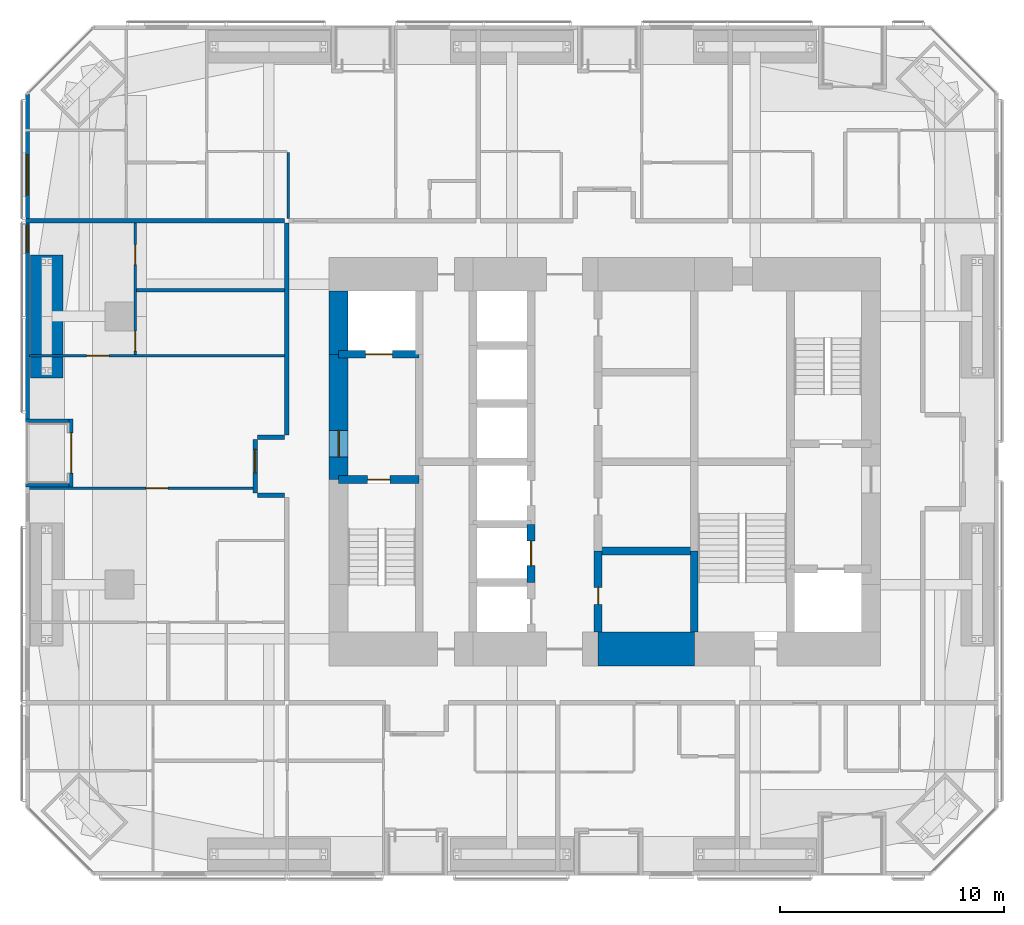
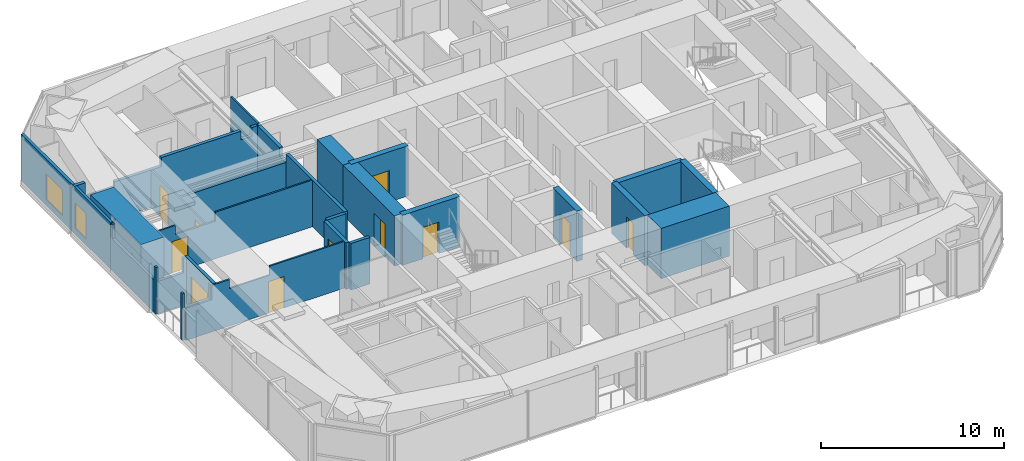
# One storey, part 18 of 23: 24 walls, 11 doors, 2 windows, 13 openings.
"""IFC4 building model written with IfcOpenShell, lengths in metres."""

from ifc_helpers import new_model, si_unit, direction, frame, frame_2d, origin, place, context, subcontext, project, spatial, polyline, rectangle, outline, extrude, material, layer, layer_set, constituent, constituent_set, type_object, element, fill, save


model = new_model("IFC4")

# Units and contexts
model_context = context("Model", 3, precision=1e-05, world=origin(), true_north=direction((0.0, 1.0)))
body_context = subcontext(model_context, "Body", "Model", "MODEL_VIEW")
ifc_project = project(units=[si_unit("LENGTHUNIT", "METRE"), si_unit("AREAUNIT", "SQUARE_METRE"), si_unit("VOLUMEUNIT", "CUBIC_METRE"), si_unit("PLANEANGLEUNIT", "RADIAN"), si_unit("MASSUNIT", "GRAM", prefix="KILO")], contexts=[model_context])

# Site, building, storey
site_placement = place(None, origin())
site = spatial("IfcSite", under=ifc_project, at=site_placement, CompositionType="ELEMENT")
building_placement = place(site_placement, origin())
building = spatial("IfcBuilding", under=site, at=building_placement, Name="Jalousie Tower", CompositionType="ELEMENT")
storey_placement = place(building_placement, frame((0.0, 0.0, 88.10009765625)))
storey = spatial("IfcBuildingStorey", under=building, at=storey_placement, Name="L23", CompositionType="ELEMENT", Elevation=88.10009765625)

# Walls
ifc_material_1 = material(Name="Concrete block ASTM C90", Category="concrete")
ifc_constituent_1 = constituent(ifc_material_1, Name="Body")
ifc_material_2 = material(Name="Render")
ifc_constituent_2 = constituent(ifc_material_2, Name="Finish")
ifc_constituent_set_1 = constituent_set(constituents=[ifc_constituent_1, ifc_constituent_2])
wall_type_1 = type_object("IfcWallType", Name="BATHROOM WALL 150", PredefinedType="PLUMBINGWALL", material=ifc_constituent_set_1)
wall_1_placement = place(storey_placement, frame((10.949951171875, 26.166748046875, 0.0), z_axis=(0.0, 0.0, 1.0), x_axis=(1.0, 0.0, 0.0)))
element("IfcWall", 1, at=wall_1_placement, inside=storey, type_object=wall_type_1, Name="Bathroom Wall 150 L23", PredefinedType="PLUMBINGWALL", context=body_context, shape_type="SweptSolid", body=[
    extrude(outline(polyline([(0.0, 0.0), (6.625, 0.0), (6.625, 3.10986328125), (6.625, 2.53076171875), (0.534912109375, 2.53076171875), (0.534912109375, 2.510009765625), (0.0, 2.510009765625), (0.0, 3.10986328125), (0.0, 0.0)])), frame((0.0, 0.074951171875, 0.0), z_axis=(0.0, -1.0, 0.0), x_axis=(1.0, 0.0, 0.0)), (0.0, 0.0, 1.0), 0.14990234375),
])
ifc_material_3 = material(Name="Concrete f'c 120 MPa", Category="concrete")
ifc_layer_1 = layer(ifc_material_3, 1.5)
ifc_layer_set_1 = layer_set([ifc_layer_1], Name="Concrete f'c 120 MPa")
wall_type_2 = type_object("IfcWallType", Name="CORE WALL 1500", PredefinedType="SHEAR", material=ifc_layer_set_1)
wall_2_placement = place(storey_placement, frame((31.60009765625, 10.125, 0.0), z_axis=(0.0, 0.0, 1.0), x_axis=(1.0, 0.0, 0.0)))
element("IfcWall", 2, at=wall_2_placement, inside=storey, type_object=wall_type_2, Name="Core wall SC L23", PredefinedType="SHEAR", context=body_context, shape_type="SweptSolid", body=[
    extrude(rectangle(XDim=4.2998046875, YDim=1.5, at=frame_2d((2.14990234375, 0.0))), origin(), (0.0, 0.0, 1.0), 3.349853515625),
])

# Wall, opening, door
ifc_material_4 = material(Name="Concrete f'c 120 MPa", Category="concrete")
ifc_layer_2 = layer(ifc_material_4, 0.35009765625)
ifc_layer_set_2 = layer_set([ifc_layer_2], Name="Concrete f'c 120 MPa")
wall_type_3 = type_object("IfcWallType", Name="CORE WALL 350", PredefinedType="SHEAR", material=ifc_layer_set_2)
wall_3_placement = place(storey_placement, frame((28.60009765625, 13.10009765625, 0.0), z_axis=(0.0, 0.0, 1.0), x_axis=(0.0, 1.0, 0.0)))
wall_3 = element("IfcWall", 3, at=wall_3_placement, inside=storey, type_object=wall_type_3, Name="Core wall X28.6B L23", PredefinedType="SHEAR", context=body_context, shape_type="SweptSolid", body=[
    extrude(rectangle(XDim=2.599853515625, YDim=0.35009765625, at=frame_2d((1.2998046875, 0.0))), origin(), (0.0, 0.0, 1.0), 3.349853515625),
])
opening_1_placement = place(wall_3_placement, frame((0.75, 0.0, 0.0)))
opening_1 = element("IfcOpeningElement", 4, at=opening_1_placement, cuts=wall_3, Name="Opening LD1", PredefinedType="OPENING", context=body_context, shape_type="SweptSolid", body=[
    extrude(rectangle(XDim=1.10009765625, YDim=2.10009765625, at=frame_2d((0.550048828125, 1.050048828125))), frame((0.0, 0.18505859375, 0.0), z_axis=(0.0, -1.0, 0.0), x_axis=(1.0, 0.0, 0.0)), (0.0, 0.0, 1.0), 0.3701171875),
])
ifc_material_5 = material(Name="Steel lift landing door", Category="steel")
door_type_1 = type_object("IfcDoorType", Name="LIFT LANDING DOOR 1100", OperationType="SLIDING_TO_LEFT", PredefinedType="DOOR", material=ifc_material_5)
door_1_placement = place(opening_1_placement, origin())
door_1 = element("IfcDoor", 5, at=door_1_placement, inside=storey, type_object=door_type_1, Name="Lift P2 landing door", OperationType="SLIDING_TO_LEFT", OverallHeight=2.10009765625, OverallWidth=1.10009765625, PredefinedType="DOOR", context=body_context, shape_type="SweptSolid", body=[
    extrude(rectangle(XDim=1.10009765625, YDim=2.10009765625, at=frame_2d((0.550048828125, 1.050048828125))), frame((0.0, 0.02490234375, 0.0), z_axis=(0.0, -1.0, 0.0), x_axis=(1.0, 0.0, 0.0)), (0.0, 0.0, 1.0), 0.050048828125),
])
fill(opening_1, door_1)

wall_4_placement = place(storey_placement, frame((31.60009765625, 10.875, 0.0), z_axis=(0.0, 0.0, 1.0), x_axis=(0.0, 1.0, 0.0)))
wall_4 = element("IfcWall", 6, at=wall_4_placement, inside=storey, type_object=wall_type_3, Name="Core wall X31.6A L23", PredefinedType="SHEAR", context=body_context, shape_type="SweptSolid", body=[
    extrude(rectangle(XDim=3.625, YDim=0.35009765625, at=frame_2d((1.8125, 0.0))), origin(), (0.0, 0.0, 1.0), 3.349853515625),
])
opening_2_placement = place(wall_4_placement, frame((1.25, 0.0, 0.0)))
opening_2 = element("IfcOpeningElement", 7, at=opening_2_placement, cuts=wall_4, Name="Opening D16", PredefinedType="OPENING", context=body_context, shape_type="SweptSolid", body=[
    extrude(rectangle(XDim=0.75, YDim=2.10009765625, at=frame_2d((0.375, 1.050048828125))), frame((0.0, 0.18505859375, 0.0), z_axis=(0.0, -1.0, 0.0), x_axis=(1.0, 0.0, 0.0)), (0.0, 0.0, 1.0), 0.3701171875),
])
ifc_material_6 = material(Name="Steel fire door", Category="steel")
door_type_2 = type_object("IfcDoorType", Name="RISER DOOR 750", OperationType="SINGLE_SWING_LEFT", PredefinedType="DOOR", material=ifc_material_6)
door_2_placement = place(opening_2_placement, frame((0.75, 0.0, 0.0), z_axis=(0.0, 0.0, 1.0), x_axis=(-1.0, 0.0, 0.0)))
door_2 = element("IfcDoor", 8, at=door_2_placement, inside=storey, type_object=door_type_2, Name="Refuse Room door", OperationType="SINGLE_SWING_RIGHT", OverallHeight=2.10009765625, OverallWidth=0.75, PredefinedType="DOOR", context=body_context, shape_type="SweptSolid", body=[
    extrude(rectangle(XDim=0.75, YDim=2.10009765625, at=frame_2d((0.375, 1.050048828125))), frame((0.0, 0.02490234375, 0.0), z_axis=(0.0, -1.0, 0.0), x_axis=(1.0, 0.0, 0.0)), (0.0, 0.0, 1.0), 0.050048828125),
])
fill(opening_2, door_2)

# Wall
wall_5_placement = place(storey_placement, frame((35.89990234375, 10.875, 0.0), z_axis=(0.0, 0.0, 1.0), x_axis=(0.0, 1.0, 0.0)))
element("IfcWall", 9, at=wall_5_placement, inside=storey, type_object=wall_type_3, Name="Core wall X35.9A L23", PredefinedType="SHEAR", context=body_context, shape_type="SweptSolid", body=[
    extrude(rectangle(XDim=3.625, YDim=0.35009765625, at=frame_2d((1.8125, 0.0))), origin(), (0.0, 0.0, 1.0), 3.349853515625),
])

# Wall, opening, door
wall_6_placement = place(storey_placement, frame((20.0, 17.699951171875, 0.0), z_axis=(0.0, 0.0, 1.0), x_axis=(1.0, 0.0, 0.0)))
wall_6 = element("IfcWall", 10, at=wall_6_placement, inside=storey, type_object=wall_type_3, Name="Core wall Y20-17.7 L23", PredefinedType="SHEAR", context=body_context, shape_type="SweptSolid", body=[
    extrude(rectangle(XDim=3.60009765625, YDim=0.35009765625, at=frame_2d((1.800048828125, 0.0))), origin(), (0.0, 0.0, 1.0), 3.349853515625),
])
opening_3_placement = place(wall_6_placement, frame((1.300048828125, 0.0, 0.0)))
opening_3 = element("IfcOpeningElement", 11, at=opening_3_placement, cuts=wall_6, Name="Opening D10", PredefinedType="OPENING", context=body_context, shape_type="SweptSolid", body=[
    extrude(rectangle(XDim=1.0, YDim=2.10009765625, at=frame_2d((0.5, 1.050048828125))), frame((0.0, 0.18505859375, 0.0), z_axis=(0.0, -1.0, 0.0), x_axis=(1.0, 0.0, 0.0)), (0.0, 0.0, 1.0), 0.3701171875),
])
ifc_material_7 = material(Name="Steel fire door", Category="steel")
door_type_3 = type_object("IfcDoorType", Name="STAIR DOOR 1000", OperationType="SINGLE_SWING_LEFT", PredefinedType="DOOR", material=ifc_material_7)
door_3_placement = place(opening_3_placement, frame((1.0, 0.0, 0.0), z_axis=(0.0, 0.0, 1.0), x_axis=(-1.0, 0.0, 0.0)))
door_3 = element("IfcDoor", 12, at=door_3_placement, inside=storey, type_object=door_type_3, Name="Exit stair A door", OperationType="SINGLE_SWING_RIGHT", OverallHeight=2.10009765625, OverallWidth=1.0, PredefinedType="DOOR", context=body_context, shape_type="SweptSolid", body=[
    extrude(rectangle(XDim=1.0, YDim=2.10009765625, at=frame_2d((0.5, 1.050048828125))), frame((0.0, 0.02490234375, 0.0), z_axis=(0.0, -1.0, 0.0), x_axis=(1.0, 0.0, 0.0)), (0.0, 0.0, 1.0), 0.050048828125),
])
fill(opening_3, door_3)

wall_7_placement = place(storey_placement, frame((20.0, 23.300048828125, 0.0), z_axis=(0.0, 0.0, 1.0), x_axis=(1.0, 0.0, 0.0)))
wall_7 = element("IfcWall", 13, at=wall_7_placement, inside=storey, type_object=wall_type_3, Name="Core wall Y20-23.3 L23", PredefinedType="SHEAR", context=body_context, shape_type="SweptSolid", body=[
    extrude(rectangle(XDim=3.60009765625, YDim=0.35009765625, at=frame_2d((1.800048828125, 0.0))), origin(), (0.0, 0.0, 1.0), 3.349853515625),
])
opening_4_placement = place(wall_7_placement, frame((1.199951171875, 0.0, 0.0)))
opening_4 = element("IfcOpeningElement", 14, at=opening_4_placement, cuts=wall_7, Name="Opening LD2", PredefinedType="OPENING", context=body_context, shape_type="SweptSolid", body=[
    extrude(rectangle(XDim=1.199951171875, YDim=2.10009765625, at=frame_2d((0.60009765625, 1.050048828125))), frame((0.0, 0.18505859375, 0.0), z_axis=(0.0, -1.0, 0.0), x_axis=(1.0, 0.0, 0.0)), (0.0, 0.0, 1.0), 0.3701171875),
])
ifc_material_8 = material(Name="Steel lift landing door", Category="steel")
door_type_4 = type_object("IfcDoorType", Name="LIFT LANDING DOOR 1200", OperationType="SLIDING_TO_LEFT", PredefinedType="DOOR", material=ifc_material_8)
door_4_placement = place(opening_4_placement, origin())
door_4 = element("IfcDoor", 15, at=door_4_placement, inside=storey, type_object=door_type_4, Name="Lift F1 landing door", OperationType="SLIDING_TO_LEFT", OverallHeight=2.10009765625, OverallWidth=1.199951171875, PredefinedType="DOOR", context=body_context, shape_type="SweptSolid", body=[
    extrude(rectangle(XDim=1.199951171875, YDim=2.10009765625, at=frame_2d((0.60009765625, 1.050048828125))), frame((0.0, 0.02490234375, 0.0), z_axis=(0.0, -1.0, 0.0), x_axis=(1.0, 0.0, 0.0)), (0.0, 0.0, 1.0), 0.050048828125),
])
fill(opening_4, door_4)

# Walls
wall_8_placement = place(storey_placement, frame((31.60009765625, 14.5, 0.0), z_axis=(0.0, 0.0, 1.0), x_axis=(1.0, 0.0, 0.0)))
element("IfcWall", 16, at=wall_8_placement, inside=storey, type_object=wall_type_3, Name="Core wall Y31.6-14.5 L23", PredefinedType="SHEAR", context=body_context, shape_type="SweptSolid", body=[
    extrude(rectangle(XDim=4.2998046875, YDim=0.35009765625, at=frame_2d((2.14990234375, 0.0))), origin(), (0.0, 0.0, 1.0), 3.349853515625),
])
ifc_material_9 = material(Name="Concrete f'c 120 MPa", Category="concrete")
ifc_layer_3 = layer(ifc_material_9, 0.85009765625)
ifc_layer_set_3 = layer_set([ifc_layer_3], Name="Concrete f'c 120 MPa")
wall_type_4 = type_object("IfcWallType", Name="CORE WALL 850", PredefinedType="SHEAR", material=ifc_layer_set_3)
wall_9_placement = place(storey_placement, frame((20.0, 26.125, 0.0), z_axis=(0.0, 0.0, 1.0), x_axis=(0.0, -1.0, 0.0)))
element("IfcWall", 17, at=wall_9_placement, inside=storey, type_object=wall_type_4, Name="Core wall WA L23", PredefinedType="SHEAR", context=body_context, shape_type="SweptSolid", body=[
    extrude(rectangle(XDim=2.824951171875, YDim=0.85009765625, at=frame_2d((1.41259765625, 0.0))), origin(), (0.0, 0.0, 1.0), 3.349853515625),
])

# Wall, opening, door
wall_10_placement = place(storey_placement, frame((20.0, 23.300048828125, 0.0), z_axis=(0.0, 0.0, 1.0), x_axis=(0.0, -1.0, 0.0)))
wall_10 = element("IfcWall", 18, at=wall_10_placement, inside=storey, type_object=wall_type_4, Name="Core wall WB L23", PredefinedType="SHEAR", context=body_context, shape_type="SweptSolid", body=[
    extrude(rectangle(XDim=5.60009765625, YDim=0.85009765625, at=frame_2d((2.800048828125, 0.0))), origin(), (0.0, 0.0, 1.0), 3.349853515625),
])
opening_5_placement = place(wall_10_placement, frame((3.39990234375, 0.0, 0.0)))
opening_5 = element("IfcOpeningElement", 19, at=opening_5_placement, cuts=wall_10, Name="Opening D11", PredefinedType="OPENING", context=body_context, shape_type="SweptSolid", body=[
    extrude(rectangle(XDim=1.199951171875, YDim=2.199951171875, at=frame_2d((0.60009765625, 1.10009765625))), frame((0.0, 0.43505859375, 0.0), z_axis=(0.0, -1.0, 0.0), x_axis=(1.0, 0.0, 0.0)), (0.0, 0.0, 1.0), 0.8701171875),
])
ifc_material_10 = material(Name="Steel fire door", Category="steel")
door_type_5 = type_object("IfcDoorType", Name="FIRE DOOR 1200", OperationType="SINGLE_SWING_LEFT", PredefinedType="DOOR", material=ifc_material_10)
door_5_placement = place(opening_5_placement, origin())
door_5 = element("IfcDoor", 20, at=door_5_placement, inside=storey, type_object=door_type_5, Name="Fire-fighting lobby A door", OperationType="SINGLE_SWING_RIGHT", OverallHeight=2.199951171875, OverallWidth=1.199951171875, PredefinedType="DOOR", context=body_context, shape_type="SweptSolid", body=[
    extrude(rectangle(XDim=1.199951171875, YDim=2.199951171875, at=frame_2d((0.60009765625, 1.10009765625))), frame((0.0, 0.02490234375, 0.0), z_axis=(0.0, -1.0, 0.0), x_axis=(1.0, 0.0, 0.0)), (0.0, 0.0, 1.0), 0.050048828125),
])
fill(opening_5, door_5)

# Wall
ifc_material_11 = material(Name="Concrete block ASTM C90", Category="concrete")
ifc_constituent_3 = constituent(ifc_material_11, Name="Body")
ifc_material_12 = material(Name="Render")
ifc_constituent_4 = constituent(ifc_material_12, Name="Finish")
ifc_constituent_set_2 = constituent_set(constituents=[ifc_constituent_3, ifc_constituent_4])
wall_type_5 = type_object("IfcWallType", Name="CORRIDOR WALL 200", PredefinedType="PARTITIONING", material=ifc_constituent_set_2)
wall_11_placement = place(storey_placement, frame((17.675048828125, 19.699951171875, 0.0), z_axis=(0.0, 0.0, 1.0), x_axis=(0.0, 1.0, 0.0)))
element("IfcWall", 21, at=wall_11_placement, inside=storey, type_object=wall_type_5, Name="Corridor Wall 200 L23", PredefinedType="PARTITIONING", context=body_context, shape_type="SweptSolid", body=[
    extrude(outline(polyline([(0.0, 0.0), (9.47509765625, 0.0), (9.47509765625, 3.10986328125), (7.0712890625, 3.10986328125), (7.0712890625, 2.53076171875), (6.37890625, 2.53076171875), (6.37890625, 3.10986328125), (0.0, 3.10986328125), (0.0, 0.0)])), frame((0.0, 0.10009765625, 0.0), z_axis=(0.0, -1.0, 0.0), x_axis=(1.0, 0.0, 0.0)), (0.0, 0.0, 1.0), 0.199951171875),
])

# Wall, opening, door
wall_12_placement = place(storey_placement, frame((16.27490234375, 17.10009765625, 0.0), z_axis=(0.0, 0.0, 1.0), x_axis=(0.0, 1.0, 0.0)))
wall_12 = element("IfcWall", 22, at=wall_12_placement, inside=storey, type_object=wall_type_5, Name="Corridor Wall 200 L23", PredefinedType="PARTITIONING", context=body_context, shape_type="SweptSolid", body=[
    extrude(rectangle(XDim=2.39990234375, YDim=0.199951171875, at=frame_2d((1.199951171875, 0.0))), origin(), (0.0, 0.0, 1.0), 3.10986328125),
])
opening_6_placement = place(wall_12_placement, frame((0.89990234375, 0.0, 0.0)))
opening_6 = element("IfcOpeningElement", 23, at=opening_6_placement, cuts=wall_12, Name="Opening D1", PredefinedType="OPENING", context=body_context, shape_type="SweptSolid", body=[
    extrude(rectangle(XDim=1.050048828125, YDim=2.199951171875, at=frame_2d((0.52490234375, 1.10009765625))), frame((0.0, 0.10986328125, 0.0), z_axis=(0.0, -1.0, 0.0), x_axis=(1.0, 0.0, 0.0)), (0.0, 0.0, 1.0), 0.219970703125),
])
ifc_material_13 = material(Name="Timber fire door", Category="wood")
door_type_6 = type_object("IfcDoorType", Name="APARTMENT ENTRANCE DOOR 1050", OperationType="SINGLE_SWING_LEFT", PredefinedType="DOOR", material=ifc_material_13)
door_6_placement = place(opening_6_placement, origin())
door_6 = element("IfcDoor", 24, at=door_6_placement, inside=storey, type_object=door_type_6, Name="Apartment 2307 entrance", OperationType="SINGLE_SWING_LEFT", OverallHeight=2.199951171875, OverallWidth=1.050048828125, PredefinedType="DOOR", context=body_context, shape_type="SweptSolid", body=[
    extrude(rectangle(XDim=1.050048828125, YDim=2.199951171875, at=frame_2d((0.52490234375, 1.10009765625))), frame((0.0, 0.02490234375, 0.0), z_axis=(0.0, -1.0, 0.0), x_axis=(1.0, 0.0, 0.0)), (0.0, 0.0, 1.0), 0.050048828125),
])
fill(opening_6, door_6)

# Walls
for number, where, z_axis, x_axis, name in (
    (25, (17.574951171875, 17.0, 0.0), (0.0, 0.0, 1.0), (-1.0, 0.0, 0.0), "Corridor Wall 200 L23"),
    (26, (17.574951171875, 19.60009765625, 0.0), (0.0, 0.0, 1.0), (-1.0, 0.0, 0.0), "Corridor Wall 200 L23"),
):
    element("IfcWall", number, at=place(storey_placement, frame(where, z_axis=z_axis, x_axis=x_axis)), inside=storey, type_object=wall_type_5, Name=name, PredefinedType="PARTITIONING", context=body_context, shape_type="SweptSolid", body=[
        extrude(rectangle(XDim=1.199951171875, YDim=0.199951171875, at=frame_2d((0.60009765625, 0.0))), origin(), (0.0, 0.0, 1.0), 3.10986328125),
    ])

# Wall, openings, windows
ifc_material_14 = material(Name="Concrete f'c 40 MPa", Category="concrete")
ifc_constituent_5 = constituent(ifc_material_14, Name="Body")
ifc_material_15 = material(Name="Render, pastel sea green")
ifc_constituent_6 = constituent(ifc_material_15, Name="Finish")
ifc_constituent_set_3 = constituent_set(constituents=[ifc_constituent_5, ifc_constituent_6])
wall_type_6 = type_object("IfcWallType", Name="EXTERNAL WALL 175 SEA GREEN RENDER", PredefinedType="SOLIDWALL", material=ifc_constituent_set_3)
wall_13_placement = place(storey_placement, frame((6.08740234375, 34.94873046875, 0.0), z_axis=(0.0, 0.0, 1.0), x_axis=(0.0, -1.0, 0.0)))
wall_13 = element("IfcWall", 27, at=wall_13_placement, inside=storey, type_object=wall_type_6, Name="External Wall 175 Sea Green Render L23", PredefinedType="SOLIDWALL", context=body_context, shape_type="SweptSolid", body=[
    extrude(outline(polyline([(0.0, 0.0), (14.531982421875, 0.0), (14.531982421875, 2.14990234375), (9.94873046875, 2.14990234375), (9.94873046875, 3.10986328125), (9.822998046875, 3.10986328125), (9.822998046875, 2.14990234375), (9.72998046875, 2.14990234375), (9.72998046875, 3.10986328125), (0.0, 3.10986328125), (0.0, 0.0)])), frame((0.0, 0.08740234375, 0.0), z_axis=(0.0, -1.0, 0.0), x_axis=(1.0, 0.0, 0.0)), (0.0, 0.0, 1.0), 0.175048828125),
])
opening_7_placement = place(wall_13_placement, frame((2.72412109375, 0.0, 0.39990234375)))
opening_7 = element("IfcOpeningElement", 28, at=opening_7_placement, cuts=wall_13, Name="Opening W-BED170", PredefinedType="OPENING", context=body_context, shape_type="SweptSolid", body=[
    extrude(rectangle(XDim=1.800048828125, YDim=1.699951171875, at=frame_2d((0.89990234375, 0.85009765625))), frame((0.0, 0.097412109375, 0.0), z_axis=(0.0, -1.0, 0.0), x_axis=(1.0, 0.0, 0.0)), (0.0, 0.0, 1.0), 0.195068359375),
])
opening_8_placement = place(wall_13_placement, frame((5.873779296875, 0.0, 0.39990234375)))
opening_8 = element("IfcOpeningElement", 29, at=opening_8_placement, cuts=wall_13, Name="Opening W-COR170", PredefinedType="OPENING", context=body_context, shape_type="SweptSolid", body=[
    extrude(rectangle(XDim=1.199951171875, YDim=1.699951171875, at=frame_2d((0.60009765625, 0.85009765625))), frame((0.0, 0.097412109375, 0.0), z_axis=(0.0, -1.0, 0.0), x_axis=(1.0, 0.0, 0.0)), (0.0, 0.0, 1.0), 0.195068359375),
])
ifc_material_16 = material(Name="Aluminium frame, impact-rated glazing", Category="aluminium")
window_type_1 = type_object("IfcWindowType", Name="WINDOW BED 1800x1700", PartitioningType="SINGLE_PANEL", PredefinedType="WINDOW", material=ifc_material_16)
window_1_placement = place(opening_7_placement, origin())
window_1 = element("IfcWindow", 30, at=window_1_placement, inside=storey, type_object=window_type_1, Name="Apartment 2304 bedroom 1 window", OverallHeight=1.699951171875, OverallWidth=1.800048828125, PartitioningType="SINGLE_PANEL", PredefinedType="WINDOW", context=body_context, shape_type="SweptSolid", body=[
    extrude(rectangle(XDim=1.800048828125, YDim=1.699951171875, at=frame_2d((0.89990234375, 0.85009765625))), frame((0.0, 0.030029296875, 0.0), z_axis=(0.0, -1.0, 0.0), x_axis=(1.0, 0.0, 0.0)), (0.0, 0.0, 1.0), 0.06005859375),
])
fill(opening_7, window_1)
ifc_material_17 = material(Name="Aluminium frame, impact-rated glazing", Category="aluminium")
window_type_2 = type_object("IfcWindowType", Name="WINDOW COR 1200x1700", PartitioningType="SINGLE_PANEL", PredefinedType="WINDOW", material=ifc_material_17)
window_2_placement = place(opening_8_placement, origin())
window_2 = element("IfcWindow", 31, at=window_2_placement, inside=storey, type_object=window_type_2, Name="Apartment 2307 bedroom 2 window", OverallHeight=1.699951171875, OverallWidth=1.199951171875, PartitioningType="SINGLE_PANEL", PredefinedType="WINDOW", context=body_context, shape_type="SweptSolid", body=[
    extrude(rectangle(XDim=1.199951171875, YDim=1.699951171875, at=frame_2d((0.60009765625, 0.85009765625))), frame((0.0, 0.030029296875, 0.0), z_axis=(0.0, -1.0, 0.0), x_axis=(1.0, 0.0, 0.0)), (0.0, 0.0, 1.0), 0.06005859375),
])
fill(opening_8, window_2)

# Wall, opening, door
wall_14_placement = place(storey_placement, frame((8.03759765625, 20.416748046875, 0.0), z_axis=(0.0, 0.0, 1.0), x_axis=(0.0, -1.0, 0.0)))
wall_14 = element("IfcWall", 32, at=wall_14_placement, inside=storey, type_object=wall_type_6, Name="External Wall 175 Sea Green Render L23", PredefinedType="SOLIDWALL", context=body_context, shape_type="SweptSolid", body=[
    extrude(rectangle(XDim=3.058349609375, YDim=0.175048828125, at=frame_2d((1.529296875, 0.0))), origin(), (0.0, 0.0, 1.0), 3.10986328125),
])
opening_9_placement = place(wall_14_placement, frame((0.629150390625, 0.0, 0.0)))
opening_9 = element("IfcOpeningElement", 33, at=opening_9_placement, cuts=wall_14, Name="Opening D-BAL21", PredefinedType="OPENING", context=body_context, shape_type="SweptSolid", body=[
    extrude(rectangle(XDim=1.800048828125, YDim=2.10009765625, at=frame_2d((0.89990234375, 1.050048828125))), frame((0.0, 0.097412109375, 0.0), z_axis=(0.0, -1.0, 0.0), x_axis=(1.0, 0.0, 0.0)), (0.0, 0.0, 1.0), 0.195068359375),
])
ifc_material_18 = material(Name="Aluminium frame, impact-rated glazing", Category="aluminium")
door_type_7 = type_object("IfcDoorType", Name="BALCONY DOOR 1800x2100", OperationType="SLIDING_TO_LEFT", PredefinedType="DOOR", material=ifc_material_18)
door_7_placement = place(opening_9_placement, origin())
door_7 = element("IfcDoor", 34, at=door_7_placement, inside=storey, type_object=door_type_7, Name="Apartment 2307 living room loggia door", OperationType="SLIDING_TO_LEFT", OverallHeight=2.10009765625, OverallWidth=1.800048828125, PredefinedType="DOOR", context=body_context, shape_type="SweptSolid", body=[
    extrude(rectangle(XDim=1.800048828125, YDim=2.10009765625, at=frame_2d((0.89990234375, 1.050048828125))), frame((0.0, 0.02490234375, 0.0), z_axis=(0.0, -1.0, 0.0), x_axis=(1.0, 0.0, 0.0)), (0.0, 0.0, 1.0), 0.050048828125),
])
fill(opening_9, door_7)

# Walls
for number, where, z_axis, x_axis, name in (
    (35, (6.0, 20.3291015625, 0.0), (0.0, 0.0, 1.0), (1.0, 0.0, 0.0), "External Wall 175 Sea Green Render L23"),
    (36, (6.0, 17.44580078125, 0.0), (0.0, 0.0, 1.0), (1.0, 0.0, 0.0), "External Wall 175 Sea Green Render L23"),
):
    element("IfcWall", number, at=place(storey_placement, frame(where, z_axis=z_axis, x_axis=x_axis)), inside=storey, type_object=wall_type_6, Name=name, PredefinedType="SOLIDWALL", context=body_context, shape_type="SweptSolid", body=[
        extrude(outline(polyline([(0.0, 0.0), (1.949951171875, 0.0), (1.949951171875, 3.10986328125), (1.75, 3.10986328125), (1.75, 2.14990234375), (0.14990234375, 2.14990234375), (0.14990234375, 3.10986328125), (0.0, 3.10986328125), (0.0, 0.0)])), frame((0.0, 0.08740234375, 0.0), z_axis=(0.0, -1.0, 0.0), x_axis=(1.0, 0.0, 0.0)), (0.0, 0.0, 1.0), 0.175048828125),
    ])
ifc_material_19 = material(Name="Gypsum board", Category="gypsum")
ifc_constituent_7 = constituent(ifc_material_19, Name="Body")
ifc_material_20 = material(Name="Light-gauge steel studs ASTM A653 SS Grade 33", Category="steel")
ifc_constituent_8 = constituent(ifc_material_20, Name="Framing")
ifc_constituent_set_4 = constituent_set(constituents=[ifc_constituent_7, ifc_constituent_8])
wall_type_7 = type_object("IfcWallType", Name="PARTITION 100", PredefinedType="PARTITIONING", material=ifc_constituent_set_4)
wall_15_placement = place(storey_placement, frame((17.75, 32.324951171875, 0.0), z_axis=(0.0, 0.0, 1.0), x_axis=(0.0, -1.0, 0.0)))
element("IfcWall", 37, at=wall_15_placement, inside=storey, type_object=wall_type_7, Name="Partition 100 L23", PredefinedType="PARTITIONING", context=body_context, shape_type="SweptSolid", body=[
    extrude(rectangle(XDim=2.949951171875, YDim=0.10009765625, at=frame_2d((1.47509765625, 0.0))), origin(), (0.0, 0.0, 1.0), 3.10986328125),
])

# Wall, opening, door
wall_16_placement = place(storey_placement, frame((6.175048828125, 17.308349609375, 0.0), z_axis=(0.0, 0.0, 1.0), x_axis=(1.0, 0.0, 0.0)))
wall_16 = element("IfcWall", 38, at=wall_16_placement, inside=storey, type_object=wall_type_7, Name="Partition 100 L23", PredefinedType="PARTITIONING", context=body_context, shape_type="SweptSolid", body=[
    extrude(outline(polyline([(0.0, 0.0), (10.0, 0.0), (10.0, 3.10986328125), (5.284912109375, 3.10986328125), (5.284912109375, 2.510009765625), (2.764892578125, 2.510009765625), (2.764892578125, 3.10986328125), (1.635009765625, 3.10986328125), (1.635009765625, 2.14990234375), (0.0, 2.14990234375), (0.0, 3.10986328125), (0.0, 0.0)])), frame((0.0, 0.050048828125, 0.0), z_axis=(0.0, -1.0, 0.0), x_axis=(1.0, 0.0, 0.0)), (0.0, 0.0, 1.0), 0.10009765625),
])
opening_10_placement = place(wall_16_placement, frame((5.199951171875, 0.0, 0.0)))
opening_10 = element("IfcOpeningElement", 39, at=opening_10_placement, cuts=wall_16, Name="Opening D6", PredefinedType="OPENING", context=body_context, shape_type="SweptSolid", body=[
    extrude(rectangle(XDim=1.0, YDim=2.10009765625, at=frame_2d((0.5, 1.050048828125))), frame((0.0, 0.06005859375, 0.0), z_axis=(0.0, -1.0, 0.0), x_axis=(1.0, 0.0, 0.0)), (0.0, 0.0, 1.0), 0.1201171875),
])
ifc_material_21 = material(Name="Timber door", Category="wood")
door_type_8 = type_object("IfcDoorType", Name="INTERNAL DOOR 1000", OperationType="SINGLE_SWING_LEFT", PredefinedType="DOOR", material=ifc_material_21)
door_8_placement = place(opening_10_placement, frame((1.0, 0.0, 0.0), z_axis=(0.0, 0.0, 1.0), x_axis=(-1.0, 0.0, 0.0)))
door_8 = element("IfcDoor", 40, at=door_8_placement, inside=storey, type_object=door_type_8, Name="Apartment 2307 dining room door", OperationType="SINGLE_SWING_LEFT", OverallHeight=2.10009765625, OverallWidth=1.0, PredefinedType="DOOR", context=body_context, shape_type="SweptSolid", body=[
    extrude(rectangle(XDim=1.0, YDim=2.10009765625, at=frame_2d((0.5, 1.050048828125))), frame((0.0, 0.02490234375, 0.0), z_axis=(0.0, -1.0, 0.0), x_axis=(1.0, 0.0, 0.0)), (0.0, 0.0, 1.0), 0.050048828125),
])
fill(opening_10, door_8)

wall_17_placement = place(storey_placement, frame((6.175048828125, 23.24169921875, 0.0), z_axis=(0.0, 0.0, 1.0), x_axis=(1.0, 0.0, 0.0)))
wall_17 = element("IfcWall", 41, at=wall_17_placement, inside=storey, type_object=wall_type_7, Name="Partition 100 L23", PredefinedType="PARTITIONING", context=body_context, shape_type="SweptSolid", body=[
    extrude(outline(polyline([(0.5263671875, 2.14990234375), (0.0, 2.14990234375), (0.0, 0.0), (0.5263671875, 0.0), (0.5263671875, 0.280029296875), (1.023681640625, 0.280029296875), (1.023681640625, 0.0), (11.39990234375, 0.0), (11.39990234375, 3.10986328125), (5.284912109375, 3.10986328125), (5.284912109375, 2.510009765625), (2.764892578125, 2.510009765625), (2.764892578125, 3.10986328125), (1.635009765625, 3.10986328125), (1.635009765625, 2.14990234375), (1.023681640625, 2.14990234375), (1.023681640625, 1.869873046875), (0.5263671875, 1.869873046875), (0.5263671875, 2.14990234375)])), frame((0.0, 0.050048828125, 0.0), z_axis=(0.0, -1.0, 0.0), x_axis=(1.0, 0.0, 0.0)), (0.0, 0.0, 1.0), 0.10009765625),
])
opening_11_placement = place(wall_17_placement, frame((2.550048828125, 0.0, 0.0)))
opening_11 = element("IfcOpeningElement", 42, at=opening_11_placement, cuts=wall_17, Name="Opening D6", PredefinedType="OPENING", context=body_context, shape_type="SweptSolid", body=[
    extrude(rectangle(XDim=1.0, YDim=2.10009765625, at=frame_2d((0.5, 1.050048828125))), frame((0.0, 0.06005859375, 0.0), z_axis=(0.0, -1.0, 0.0), x_axis=(1.0, 0.0, 0.0)), (0.0, 0.0, 1.0), 0.1201171875),
])
door_9_placement = place(opening_11_placement, origin())
door_9 = element("IfcDoor", 43, at=door_9_placement, inside=storey, type_object=door_type_8, Name="Apartment 2307 bedroom 2 door", OperationType="SINGLE_SWING_LEFT", OverallHeight=2.10009765625, OverallWidth=1.0, PredefinedType="DOOR", context=body_context, shape_type="SweptSolid", body=[
    extrude(rectangle(XDim=1.0, YDim=2.10009765625, at=frame_2d((0.5, 1.050048828125))), frame((0.0, 0.02490234375, 0.0), z_axis=(0.0, -1.0, 0.0), x_axis=(1.0, 0.0, 0.0)), (0.0, 0.0, 1.0), 0.050048828125),
])
fill(opening_11, door_9)

# Wall, openings, doors
wall_18_placement = place(storey_placement, frame((10.89990234375, 23.291748046875, 0.0), z_axis=(0.0, 0.0, 1.0), x_axis=(0.0, 1.0, 0.0)))
wall_18 = element("IfcWall", 44, at=wall_18_placement, inside=storey, type_object=wall_type_7, Name="Partition 100 L23", PredefinedType="PARTITIONING", context=body_context, shape_type="SweptSolid", body=[
    extrude(outline(polyline([(0.0, 0.0), (5.88330078125, 0.0), (5.88330078125, 3.10986328125), (5.88330078125, 2.510009765625), (1.768310546875, 2.510009765625), (0.0, 2.510009765625), (0.0, 3.10986328125), (0.0, 0.0)])), frame((0.0, 0.050048828125, 0.0), z_axis=(0.0, -1.0, 0.0), x_axis=(1.0, 0.0, 0.0)), (0.0, 0.0, 1.0), 0.10009765625),
])
opening_12_placement = place(wall_18_placement, frame((0.14990234375, 0.0, 0.0)))
opening_12 = element("IfcOpeningElement", 45, at=opening_12_placement, cuts=wall_18, Name="Opening D7", PredefinedType="OPENING", context=body_context, shape_type="SweptSolid", body=[
    extrude(rectangle(XDim=0.89990234375, YDim=2.10009765625, at=frame_2d((0.449951171875, 1.050048828125))), frame((0.0, 0.06005859375, 0.0), z_axis=(0.0, -1.0, 0.0), x_axis=(1.0, 0.0, 0.0)), (0.0, 0.0, 1.0), 0.1201171875),
])
opening_13_placement = place(wall_18_placement, frame((4.0166015625, 0.0, 0.0)))
opening_13 = element("IfcOpeningElement", 46, at=opening_13_placement, cuts=wall_18, Name="Opening D7", PredefinedType="OPENING", context=body_context, shape_type="SweptSolid", body=[
    extrude(rectangle(XDim=0.89990234375, YDim=2.10009765625, at=frame_2d((0.449951171875, 1.050048828125))), frame((0.0, 0.06005859375, 0.0), z_axis=(0.0, -1.0, 0.0), x_axis=(1.0, 0.0, 0.0)), (0.0, 0.0, 1.0), 0.1201171875),
])
ifc_material_22 = material(Name="Timber door", Category="wood")
door_type_9 = type_object("IfcDoorType", Name="INTERNAL DOOR 900", OperationType="SINGLE_SWING_LEFT", PredefinedType="DOOR", material=ifc_material_22)
door_10_placement = place(opening_12_placement, frame((0.89990234375, 0.0, 0.0), z_axis=(0.0, 0.0, 1.0), x_axis=(-1.0, 0.0, 0.0)))
door_10 = element("IfcDoor", 47, at=door_10_placement, inside=storey, type_object=door_type_9, Name="Apartment 2307 bedroom 2 bathroom door", OperationType="SINGLE_SWING_RIGHT", OverallHeight=2.10009765625, OverallWidth=0.89990234375, PredefinedType="DOOR", context=body_context, shape_type="SweptSolid", body=[
    extrude(rectangle(XDim=0.89990234375, YDim=2.10009765625, at=frame_2d((0.449951171875, 1.050048828125))), frame((0.0, 0.02490234375, 0.0), z_axis=(0.0, -1.0, 0.0), x_axis=(1.0, 0.0, 0.0)), (0.0, 0.0, 1.0), 0.050048828125),
])
fill(opening_12, door_10)
door_11_placement = place(opening_13_placement, frame((0.89990234375, 0.0, 0.0), z_axis=(0.0, 0.0, 1.0), x_axis=(-1.0, 0.0, 0.0)))
door_11 = element("IfcDoor", 48, at=door_11_placement, inside=storey, type_object=door_type_9, Name="Apartment 2307 bedroom 2 dressing room door", OperationType="SINGLE_SWING_LEFT", OverallHeight=2.10009765625, OverallWidth=0.89990234375, PredefinedType="DOOR", context=body_context, shape_type="SweptSolid", body=[
    extrude(rectangle(XDim=0.89990234375, YDim=2.10009765625, at=frame_2d((0.449951171875, 1.050048828125))), frame((0.0, 0.02490234375, 0.0), z_axis=(0.0, -1.0, 0.0), x_axis=(1.0, 0.0, 0.0)), (0.0, 0.0, 1.0), 0.050048828125),
])
fill(opening_13, door_11)

# Walls
ifc_material_23 = material(Name="Concrete block ASTM C90", Category="concrete")
ifc_constituent_9 = constituent(ifc_material_23, Name="Body")
ifc_material_24 = material(Name="Render")
ifc_constituent_10 = constituent(ifc_material_24, Name="Finish")
ifc_constituent_set_5 = constituent_set(constituents=[ifc_constituent_9, ifc_constituent_10])
wall_type_8 = type_object("IfcWallType", Name="PARTY WALL 200", PredefinedType="PARTITIONING", material=ifc_constituent_set_5)
wall_19_placement = place(storey_placement, frame((6.0, 29.27490234375, 0.0), z_axis=(0.0, 0.0, 1.0), x_axis=(1.0, 0.0, 0.0)))
element("IfcWall", 49, at=wall_19_placement, inside=storey, type_object=wall_type_8, Name="Party Wall 200 L23", PredefinedType="PARTITIONING", context=body_context, shape_type="SweptSolid", body=[
    extrude(outline(polyline([(0.0, 0.0), (11.574951171875, 0.0), (11.574951171875, 3.10986328125), (11.22119140625, 3.10986328125), (11.22119140625, 2.53076171875), (10.52880859375, 2.53076171875), (10.52880859375, 3.10986328125), (5.510009765625, 3.10986328125), (5.510009765625, 2.510009765625), (2.9775390625, 2.510009765625), (2.9775390625, 2.53076171875), (2.565185546875, 2.53076171875), (2.565185546875, 2.14990234375), (0.721435546875, 2.14990234375), (0.721435546875, 3.10986328125), (0.0, 3.10986328125), (0.0, 0.0)])), frame((0.0, 0.10009765625, 0.0), z_axis=(0.0, -1.0, 0.0), x_axis=(1.0, 0.0, 0.0)), (0.0, 0.0, 1.0), 0.199951171875),
])
ifc_material_25 = material(Name="Concrete f'c 120 MPa", Category="concrete")
ifc_layer_4 = layer(ifc_material_25, 1.449951171875)
ifc_layer_set_4 = layer_set([ifc_layer_4], Name="Concrete f'c 120 MPa")
wall_type_9 = type_object("IfcWallType", Name="RC WALL PIER 1450", PredefinedType="SHEAR", material=ifc_layer_set_4)
wall_20_placement = place(storey_placement, frame((6.949951171875, 22.25, 0.0), z_axis=(0.0, 0.0, 1.0), x_axis=(0.0, 1.0, 0.0)))
element("IfcWall", 50, at=wall_20_placement, inside=storey, type_object=wall_type_9, Name="Wall pier 13 L23", PredefinedType="SHEAR", context=body_context, shape_type="SweptSolid", body=[
    extrude(rectangle(XDim=5.5, YDim=1.449951171875, at=frame_2d((2.75, 0.0))), origin(), (0.0, 0.0, 1.0), 3.349853515625),
])

save(model, "model.ifc")
